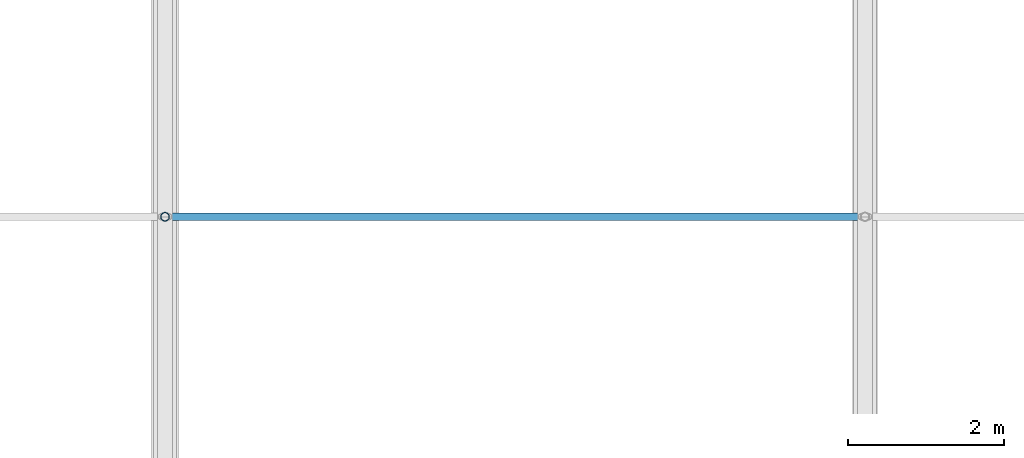
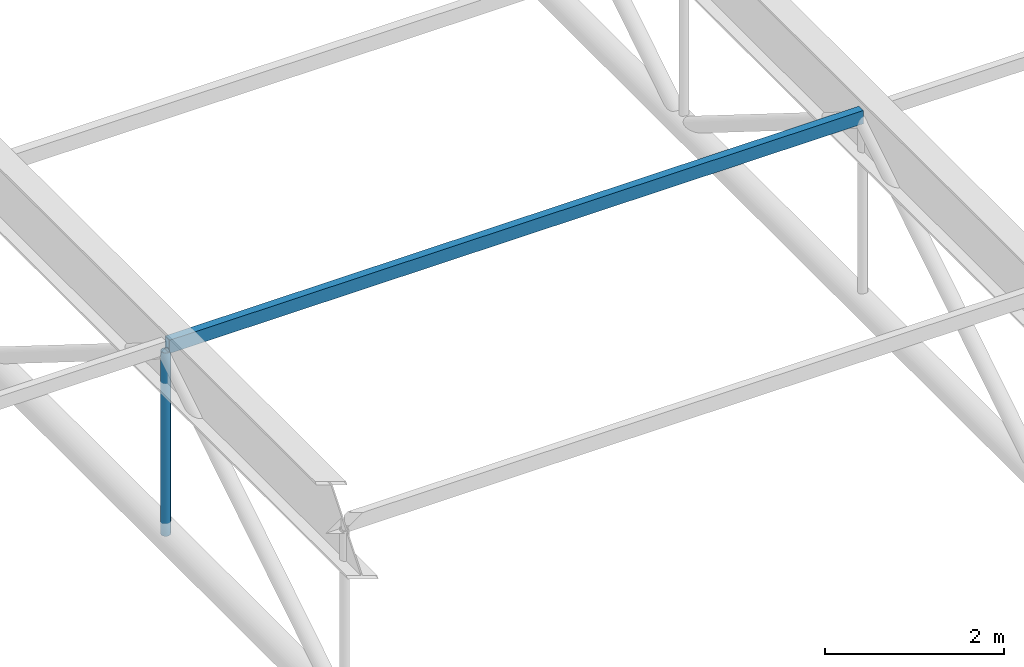
# One storey, part 34 of 91: 2 members.
"""IFC4 building model written with IfcOpenShell, lengths in metres."""

from ifc_helpers import new_model, si_unit, direction, frame, origin, origin_2d, place, context, subcontext, project, spatial, hollow_rectangle, hollow_circle, extrude, material, material_profile, profile_set, type_object, element, save


model = new_model("IFC4")

# Units and contexts
model_context = context("Model", 3, precision=1e-05, world=origin(), true_north=direction((0.0, 1.0)))
body_context = subcontext(model_context, "Body", "Model", "MODEL_VIEW")
ifc_project = project(units=[si_unit("LENGTHUNIT", "METRE"), si_unit("AREAUNIT", "SQUARE_METRE"), si_unit("VOLUMEUNIT", "CUBIC_METRE"), si_unit("PLANEANGLEUNIT", "RADIAN"), si_unit("MASSUNIT", "GRAM", prefix="KILO")], contexts=[model_context])

# Site, building, storey
site_placement = place(None, origin())
site = spatial("IfcSite", under=ifc_project, at=site_placement, CompositionType="ELEMENT")
building_placement = place(site_placement, origin())
building = spatial("IfcBuilding", under=site, at=building_placement, Name="Palais des Congres Ocreval", CompositionType="ELEMENT")
storey_placement = place(building_placement, frame((0.0, 0.0, 8.159912109375)))
storey = spatial("IfcBuildingStorey", under=building, at=storey_placement, Name="L02", CompositionType="ELEMENT", Elevation=8.159912109375)

# Members
ifc_material = material(Name="Steel S355", Category="steel")
ifc_material_profile_1 = material_profile(ifc_material, hollow_rectangle(XDim=0.10009765625, YDim=0.179931640625, WallThickness=0.008056640625, at=origin_2d()), Name="RHS 180x100x8")
ifc_profile_set_1 = profile_set([ifc_material_profile_1], Name="Steel S355")
member_type_1 = type_object("IfcMemberType", Name="Roof Purlin RHS 180x100x8 Steel S355", PredefinedType="PURLIN", material=ifc_profile_set_1)
member_1_placement = place(storey_placement, frame((27.02001953125, 102.0, 2.860107421875), z_axis=(1.0, 0.0, 0.0), x_axis=(0.0, 1.0, 0.0)))
element("IfcMember", 1, at=member_1_placement, inside=storey, type_object=member_type_1, Name="Roof Purlin PU03 V1", PredefinedType="PURLIN", context=body_context, shape_type="SweptSolid", body=[
    extrude(hollow_rectangle(XDim=0.10009765625, YDim=0.179931640625, WallThickness=0.008056640625, at=origin_2d()), origin(), (0.0, 0.0, 1.0), 8.9599609375),
])
ifc_material_profile_2 = material_profile(ifc_material, hollow_circle(Radius=0.05712890625, WallThickness=0.00634765625, at=origin_2d()), Name="CHS 114.3x6.3")
ifc_profile_set_2 = profile_set([ifc_material_profile_2], Name="Steel S355")
member_type_2 = type_object("IfcMemberType", Name="Truss Strut CHS 114.3x6.3 Steel S355", PredefinedType="STRUT", material=ifc_profile_set_2)
member_2_placement = place(storey_placement, frame((27.0, 102.0, 0.2900390625), z_axis=(0.0, 0.0, 1.0), x_axis=(1.0, 0.0, 0.0)))
element("IfcMember", 2, at=member_2_placement, inside=storey, type_object=member_type_2, Name="ROOF TRUSS Vertical Strut V1-27-3", PredefinedType="STRUT", context=body_context, shape_type="SweptSolid", body=[
    extrude(hollow_circle(Radius=0.05712890625, WallThickness=0.00634765625, at=origin_2d()), origin(), (0.0, 0.0, 1.0), 2.5),
])

save(model, "model.ifc")
